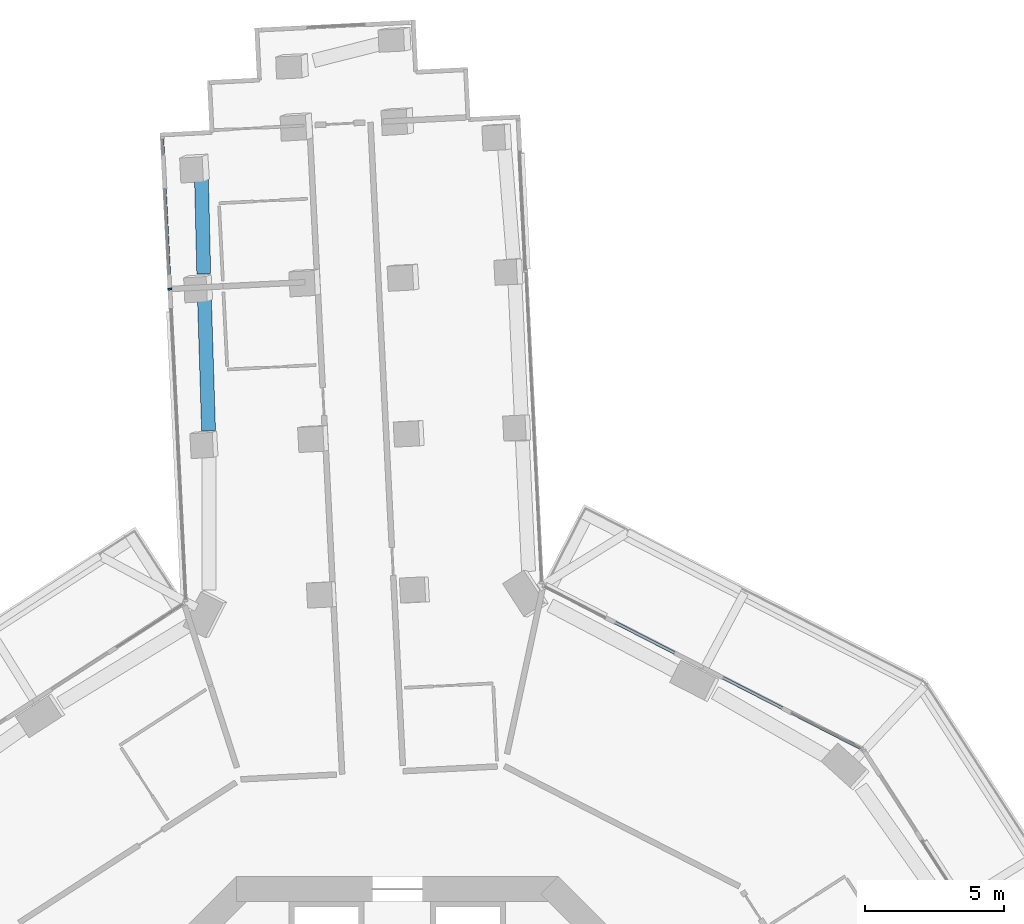
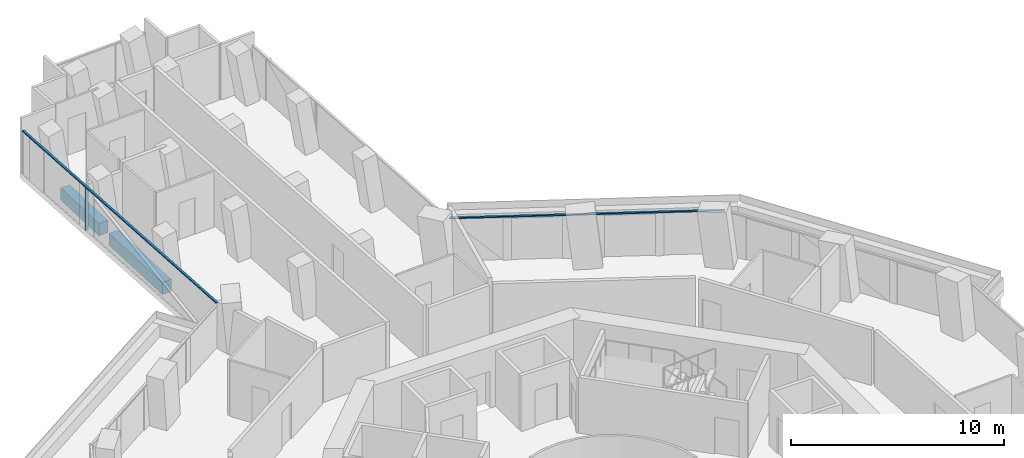
# One storey, part 8 of 25: 3 members, 2 beams, 2 elements without a shape of their own.
"""IFC4 building model written with IfcOpenShell, lengths in metres."""

from ifc_helpers import new_model, si_unit, direction, frame, origin, origin_2d, place, context, subcontext, project, spatial, rectangle, extrude, material, layer, layer_set, material_profile, profile_set, type_object, element, aggregate, save


model = new_model("IFC4")

# Units and contexts
model_context = context("Model", 3, precision=1e-05, world=origin(), true_north=direction((0.0, 1.0)))
body_context = subcontext(model_context, "Body", "Model", "MODEL_VIEW")
ifc_project = project(units=[si_unit("LENGTHUNIT", "METRE"), si_unit("AREAUNIT", "SQUARE_METRE"), si_unit("VOLUMEUNIT", "CUBIC_METRE"), si_unit("PLANEANGLEUNIT", "RADIAN"), si_unit("MASSUNIT", "GRAM", prefix="KILO")], contexts=[model_context])

# Site, building, storey
site_placement = place(None, origin())
site = spatial("IfcSite", under=ifc_project, at=site_placement, CompositionType="ELEMENT")
building_placement = place(site_placement, origin())
building = spatial("IfcBuilding", under=site, at=building_placement, Name="Verdalira Terraces Hotel", CompositionType="ELEMENT")
storey_placement = place(building_placement, frame((0.0, 0.0, 46.0)))
storey = spatial("IfcBuildingStorey", under=building, at=storey_placement, Name="L09", CompositionType="ELEMENT", Elevation=46.0)

# Curtain wall, member
ifc_material_1 = material(Name="Clear glass", Category="glass")
ifc_layer_1 = layer(ifc_material_1, 0.14990234375)
ifc_layer_set_1 = layer_set([ifc_layer_1], Name="CW1 curtain wall")
curtain_wall_type_1 = type_object("IfcCurtainWallType", Name="CW1 curtain wall", PredefinedType="NOTDEFINED", material=ifc_layer_set_1)
curtain_wall_1_placement = place(storey_placement, origin())
curtain_wall_1 = element("IfcCurtainWall", 1, at=curtain_wall_1_placement, inside=storey, type_object=curtain_wall_type_1, Name="CW1 curtain wall L09 edge 41", PredefinedType="NOTDEFINED")
ifc_material_2 = material(Name="Terracotta frame", Category="masonry")
ifc_material_profile_1 = material_profile(ifc_material_2, rectangle(XDim=0.110107, YDim=0.064941, at=origin_2d()), Name="TR 65x110")
ifc_profile_set_1 = profile_set([ifc_material_profile_1], Name="Terracotta frame")
member_type_1 = type_object("IfcMemberType", Name="CW1 transom 65x110", PredefinedType="USERDEFINED", material=ifc_profile_set_1)
member_1_placement = place(storey_placement, frame((16.773682, 18.579834, 2.45752), z_axis=(-0.890056228, 0.455850755, 0.0), x_axis=(-0.455850755, -0.890056228, 0.0)))
member_1 = element("IfcMember", 2, at=member_1_placement, type_object=member_type_1, Name="CW1 transom", ObjectType="TRANSOM", PredefinedType="USERDEFINED", context=body_context, shape_type="SweptSolid", body=[
    extrude(rectangle(XDim=0.110107, YDim=0.064941, at=origin_2d()), origin(), (0.0, 0.0, 1.0), 12.959717),
])
aggregate(curtain_wall_1, [member_1])

# Curtain wall, members
ifc_material_3 = material(Name="Clear glass", Category="glass")
ifc_layer_2 = layer(ifc_material_3, 0.14990234375)
ifc_layer_set_2 = layer_set([ifc_layer_2], Name="CW2 curtain wall")
curtain_wall_type_2 = type_object("IfcCurtainWallType", Name="CW2 curtain wall", PredefinedType="NOTDEFINED", material=ifc_layer_set_2)
curtain_wall_2_placement = place(storey_placement, origin())
curtain_wall_2 = element("IfcCurtainWall", 3, at=curtain_wall_2_placement, inside=storey, type_object=curtain_wall_type_2, Name="CW2 curtain wall L09 edge 10", PredefinedType="NOTDEFINED")
ifc_material_4 = material(Name="Terracotta frame", Category="masonry")
ifc_material_profile_2 = material_profile(ifc_material_4, rectangle(XDim=0.070068, YDim=0.149902, at=origin_2d()), Name="MU 70x150")
ifc_profile_set_2 = profile_set([ifc_material_profile_2], Name="Terracotta frame")
member_type_2 = type_object("IfcMemberType", Name="CW2 mullion 70x150", PredefinedType="MULLION", material=ifc_profile_set_2)
member_2_placement = place(storey_placement, frame((-8.202393, 35.170654, 0.0), z_axis=(0.0, 0.0, 1.0), x_axis=(0.050244318, -0.998736957, 0.0)))
member_2 = element("IfcMember", 4, at=member_2_placement, type_object=member_type_2, Name="CW2 mullion", PredefinedType="MULLION", context=body_context, shape_type="SweptSolid", body=[
    extrude(rectangle(XDim=0.070068, YDim=0.149902, at=origin_2d()), origin(), (0.0, 0.0, 1.0), 2.425049),
])
ifc_material_5 = material(Name="Terracotta frame", Category="masonry")
ifc_material_profile_3 = material_profile(ifc_material_5, rectangle(XDim=0.11499, YDim=0.064941, at=origin_2d()), Name="TR 65x115")
ifc_profile_set_3 = profile_set([ifc_material_profile_3], Name="Terracotta frame")
member_type_3 = type_object("IfcMemberType", Name="CW2 transom 65x115", PredefinedType="USERDEFINED", material=ifc_profile_set_3)
member_3_placement = place(storey_placement, frame((-8.478271, 40.653809, 2.45752), z_axis=(0.050239666, -0.998737191, 0.0), x_axis=(0.998737191, 0.050239666, 0.0)))
member_3 = element("IfcMember", 5, at=member_3_placement, type_object=member_type_3, Name="CW2 transom", ObjectType="TRANSOM", PredefinedType="USERDEFINED", context=body_context, shape_type="SweptSolid", body=[
    extrude(rectangle(XDim=0.11499, YDim=0.064941, at=origin_2d()), origin(), (0.0, 0.0, 1.0), 16.770264),
])
aggregate(curtain_wall_2, [member_2, member_3])

# Beams
ifc_material_6 = material(Name="Concrete C70", Category="concrete")
ifc_material_profile_4 = material_profile(ifc_material_6, rectangle(XDim=0.5, YDim=0.699951, at=origin_2d()), Name="RC 500X700")
ifc_profile_set_4 = profile_set([ifc_material_profile_4], Name="Concrete C70")
beam_type = type_object("IfcBeamType", Name="Spandrel beam RC 500X700 C70", PredefinedType="SPANDREL", material=ifc_profile_set_4)
beam_1_placement = place(storey_placement, frame((-7.061768, 39.158203, -0.659912), z_axis=(0.024049244, -0.999710775, 0.0), x_axis=(0.999710775, 0.024049244, 0.0)))
element("IfcBeam", 6, at=beam_1_placement, inside=storey, type_object=beam_type, Name="Spandrel beam B05", PredefinedType="SPANDREL", context=body_context, shape_type="SweptSolid", body=[
    extrude(rectangle(XDim=0.5, YDim=0.699951, at=origin_2d()), origin(), (0.0, 0.0, 1.0), 3.441406),
])
beam_2_placement = place(storey_placement, frame((-6.953857, 34.813477, -0.659912), z_axis=(0.031117533, -0.999515732, 0.0), x_axis=(0.999515732, 0.031117533, 0.0)))
element("IfcBeam", 7, at=beam_2_placement, inside=storey, type_object=beam_type, Name="Spandrel beam B06", PredefinedType="SPANDREL", context=body_context, shape_type="SweptSolid", body=[
    extrude(rectangle(XDim=0.5, YDim=0.699951, at=origin_2d()), origin(), (0.0, 0.0, 1.0), 4.746582),
])

save(model, "model.ifc")
